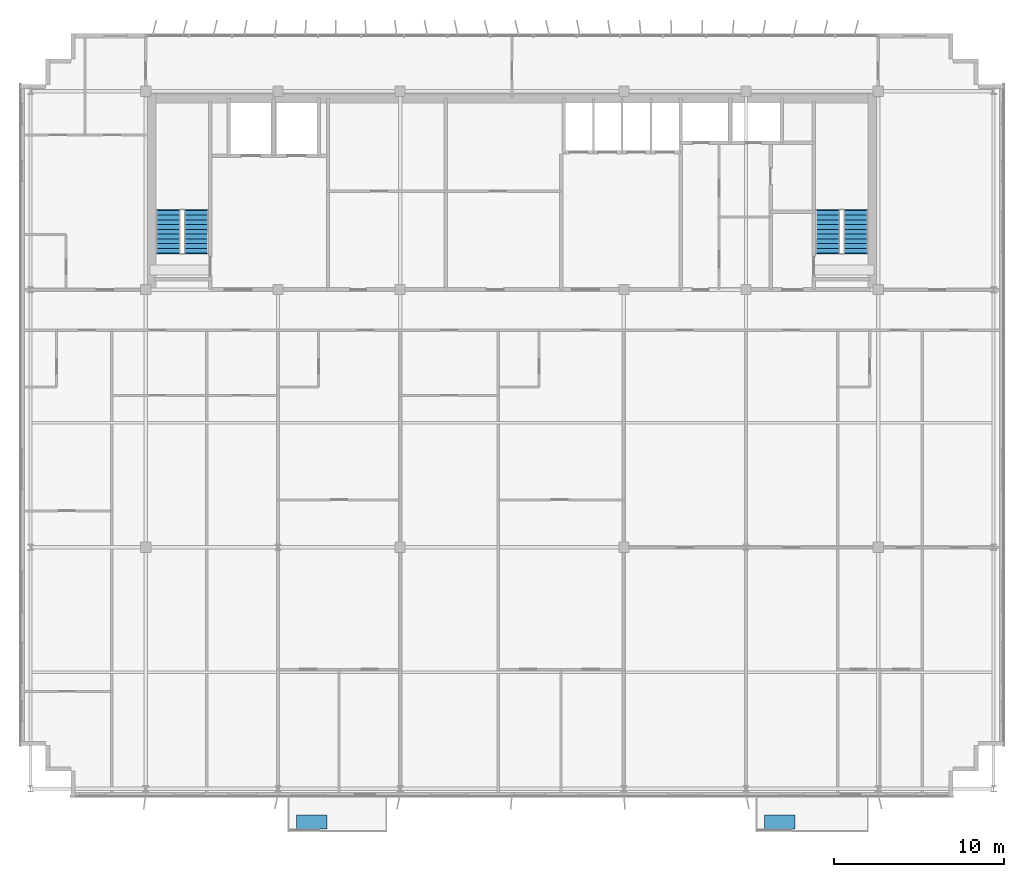
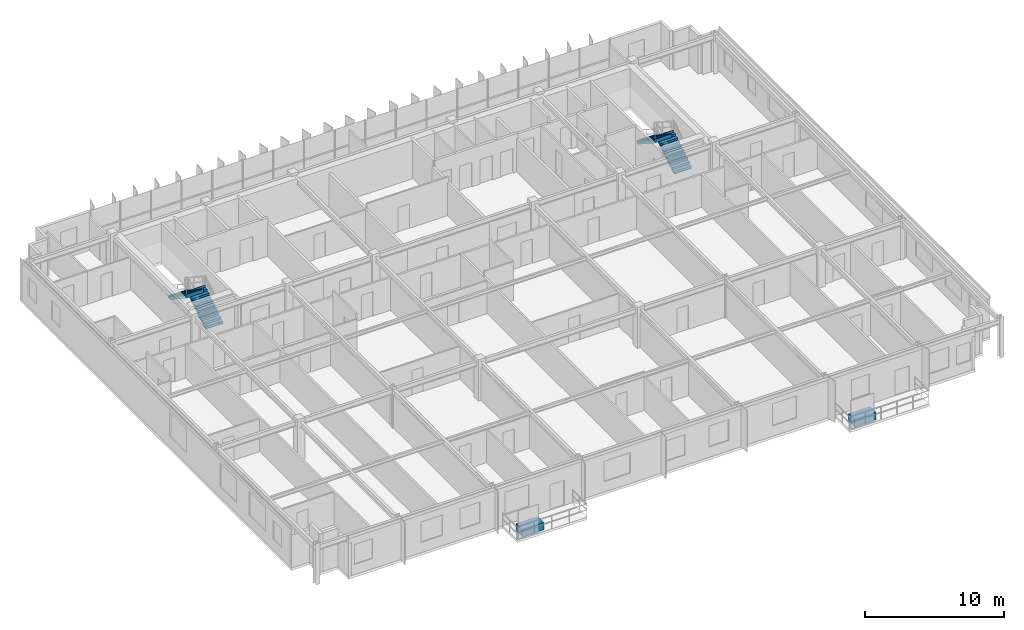
# One storey, part 21 of 23: 4 stair flights, 2 discrete accessories, 2 elements without a shape of their own.
"""IFC4 building model written with IfcOpenShell, lengths in metres."""

from ifc_helpers import new_model, si_unit, direction, frame, origin, origin_2d, place, context, subcontext, project, spatial, polyline, rectangle, outline, extrude, source, transform, mapped, material, type_object, element, aggregate, save


model = new_model("IFC4")

# Units and contexts
model_context = context("Model", 3, precision=1e-05, world=origin(), true_north=direction((0.0, 1.0)))
body_context = subcontext(model_context, "Body", "Model", "MODEL_VIEW")
ifc_project = project(units=[si_unit("LENGTHUNIT", "METRE"), si_unit("AREAUNIT", "SQUARE_METRE"), si_unit("VOLUMEUNIT", "CUBIC_METRE"), si_unit("PLANEANGLEUNIT", "RADIAN"), si_unit("MASSUNIT", "GRAM", prefix="KILO")], contexts=[model_context])

# Site, building, storey
site_placement = place(None, origin())
site = spatial("IfcSite", under=ifc_project, at=site_placement, CompositionType="ELEMENT")
building_placement = place(site_placement, origin())
building = spatial("IfcBuilding", under=site, at=building_placement, Name="Trelvane Seafront Commons", CompositionType="ELEMENT")
storey_placement = place(building_placement, frame((0.0, 0.0, 266.699951171875)))
storey = spatial("IfcBuildingStorey", under=building, at=storey_placement, Name="L69", CompositionType="ELEMENT", Elevation=266.699951171875)

# Stair, stair flights
ifc_material_1 = material(Name="Concrete C40/50", Category="concrete")
stair_type_1 = type_object("IfcStairType", Name="ARCH-STR-ST-1-R20-180", PredefinedType="HALF_TURN_STAIR", material=ifc_material_1)
stair_1_placement = place(storey_placement, origin())
stair_1 = element("IfcStair", 1, at=stair_1_placement, inside=storey, type_object=stair_type_1, Name="L69 West Protected Firefighting Exit Stair ST-1", PredefinedType="HALF_TURN_STAIR")
stair_flight_type_1 = type_object("IfcStairFlightType", Name="ARCH-FLG-ST-1-R20-180", PredefinedType="STRAIGHT", material=ifc_material_1)
shared_shape_1 = source(origin(), body_context, "Body", "SweptSolid", [
    extrude(outline(polyline([(-0.050048828125, -0.02001953125), (-0.050048828125, 0.0), (0.0, 0.0), (0.0, 0.179931640625), (0.280029296875, 0.179931640625), (0.280029296875, 0.360107421875), (0.56005859375, 0.360107421875), (0.56005859375, 0.5400390625), (0.840087890625, 0.5400390625), (0.840087890625, 0.719970703125), (1.1201171875, 0.719970703125), (1.1201171875, 0.89990234375), (1.39990234375, 0.89990234375), (1.39990234375, 1.080078125), (1.679931640625, 1.080078125), (1.679931640625, 1.260009765625), (1.9599609375, 1.260009765625), (1.9599609375, 1.43994140625), (2.239990234375, 1.43994140625), (2.239990234375, 1.6201171875), (2.52001953125, 1.6201171875), (2.52001953125, 1.800048828125), (2.570068359375, 1.800048828125), (2.570068359375, 1.650146484375), (2.52001953125, 1.44189453125), (0.277099609375, -0.02001953125), (-0.050048828125, -0.02001953125)])), frame((0.0, 0.72509765625, 0.0), z_axis=(0.0, -1.0, 0.0), x_axis=(1.0, 0.0, 0.0)), (0.0, 0.0, 1.0), 1.449951171875),
])
stair_flight_1_placement = place(storey_placement, frame((18.574951171875, 35.550048828125, 0.0), z_axis=(0.0, 0.0, 1.0), x_axis=(0.0, 1.0, 0.0)))
stair_flight_1 = element("IfcStairFlight", 2, at=stair_flight_1_placement, type_object=stair_flight_type_1, Name="ST-1 flight 1", NumberOfRisers=10, NumberOfTreads=9, PredefinedType="STRAIGHT", RiserHeight=0.18, TreadLength=0.28, context=body_context, shape_type="MappedRepresentation", body=[
    mapped(shared_shape_1, transform((0.0, 0.0, 0.0), x_axis=(1.0, 0.0, 0.0), y_axis=(0.0, 1.0, 0.0), z_axis=(0.0, 0.0, 1.0), scale=1.0)),
])
stair_flight_2_placement = place(storey_placement, frame((16.925048828125, 38.070068359375, 1.800048828125), z_axis=(0.0, 0.0, 1.0), x_axis=(0.0, -1.0, 0.0)))
stair_flight_2 = element("IfcStairFlight", 3, at=stair_flight_2_placement, type_object=stair_flight_type_1, Name="ST-1 flight 2", NumberOfRisers=10, NumberOfTreads=9, PredefinedType="STRAIGHT", RiserHeight=0.18, TreadLength=0.28, context=body_context, shape_type="MappedRepresentation", body=[
    mapped(shared_shape_1, transform((0.0, 0.0, 0.0), x_axis=(1.0, 0.0, 0.0), y_axis=(0.0, 1.0, 0.0), z_axis=(0.0, 0.0, 1.0), scale=1.0)),
])
aggregate(stair_1, [stair_flight_1, stair_flight_2])

stair_type_2 = type_object("IfcStairType", Name="ARCH-STR-ST-2-R20-180", PredefinedType="HALF_TURN_STAIR", material=ifc_material_1)
stair_2_placement = place(storey_placement, origin())
stair_2 = element("IfcStair", 4, at=stair_2_placement, inside=storey, type_object=stair_type_2, Name="L69 East Protected Firefighting Exit Stair ST-2", PredefinedType="HALF_TURN_STAIR")
stair_flight_type_2 = type_object("IfcStairFlightType", Name="ARCH-FLG-ST-2-R20-180", PredefinedType="STRAIGHT", material=ifc_material_1)
stair_flight_3_placement = place(storey_placement, frame((57.47509765625, 35.550048828125, 0.0), z_axis=(0.0, 0.0, 1.0), x_axis=(0.0, 1.0, 0.0)))
stair_flight_3 = element("IfcStairFlight", 5, at=stair_flight_3_placement, type_object=stair_flight_type_2, Name="ST-2 flight 1", NumberOfRisers=10, NumberOfTreads=9, PredefinedType="STRAIGHT", RiserHeight=0.18, TreadLength=0.28, context=body_context, shape_type="MappedRepresentation", body=[
    mapped(shared_shape_1, transform((0.0, 0.0, 0.0), x_axis=(1.0, 0.0, 0.0), y_axis=(0.0, 1.0, 0.0), z_axis=(0.0, 0.0, 1.0), scale=1.0)),
])
stair_flight_4_placement = place(storey_placement, frame((55.824951171875, 38.070068359375, 1.800048828125), z_axis=(0.0, 0.0, 1.0), x_axis=(0.0, -1.0, 0.0)))
stair_flight_4 = element("IfcStairFlight", 6, at=stair_flight_4_placement, type_object=stair_flight_type_2, Name="ST-2 flight 2", NumberOfRisers=10, NumberOfTreads=9, PredefinedType="STRAIGHT", RiserHeight=0.18, TreadLength=0.28, context=body_context, shape_type="MappedRepresentation", body=[
    mapped(shared_shape_1, transform((0.0, 0.0, 0.0), x_axis=(1.0, 0.0, 0.0), y_axis=(0.0, 1.0, 0.0), z_axis=(0.0, 0.0, 1.0), scale=1.0)),
])
aggregate(stair_2, [stair_flight_3, stair_flight_4])

# Discrete accessories
ifc_material_2 = material(Name="Precast concrete C40/50", Category="concrete")
discrete_accessory_type = type_object("IfcDiscreteAccessoryType", Name="ARCH-ACC-PLANTER", PredefinedType="USERDEFINED", material=ifc_material_2)
shared_shape_2 = source(origin(), body_context, "Body", "SweptSolid", [
    extrude(rectangle(XDim=1.800048828125, YDim=0.85009765625, at=origin_2d()), origin(), (0.0, 0.0, 1.0), 0.64990234375),
])
for number, where, z_axis, x_axis, name in (
    (7, (25.39990234375, 2.0, 0.0), (0.0, 0.0, 1.0), (1.0, 0.0, 0.0), "PLN-L69-B0-071"),
    (8, (53.0, 2.0, 0.0), (0.0, 0.0, 1.0), (1.0, 0.0, 0.0), "PLN-L69-B1-072"),
):
    element("IfcDiscreteAccessory", number, at=place(storey_placement, frame(where, z_axis=z_axis, x_axis=x_axis)), inside=storey, type_object=discrete_accessory_type, Name=name, ObjectType="BALCONY TREE PLANTER", PredefinedType="USERDEFINED", context=body_context, shape_type="MappedRepresentation", body=[
        mapped(shared_shape_2, transform((0.0, 0.0, 0.0), x_axis=(1.0, 0.0, 0.0), y_axis=(0.0, 1.0, 0.0), z_axis=(0.0, 0.0, 1.0), scale=1.0)),
    ])

save(model, "model.ifc")
